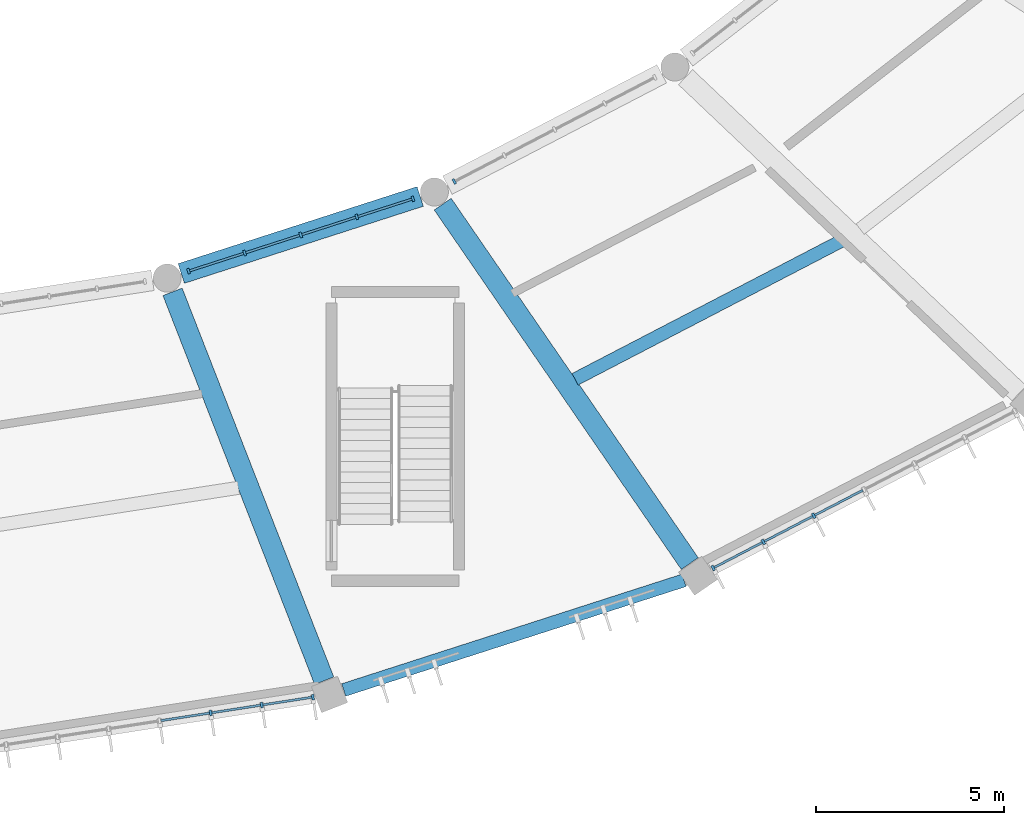
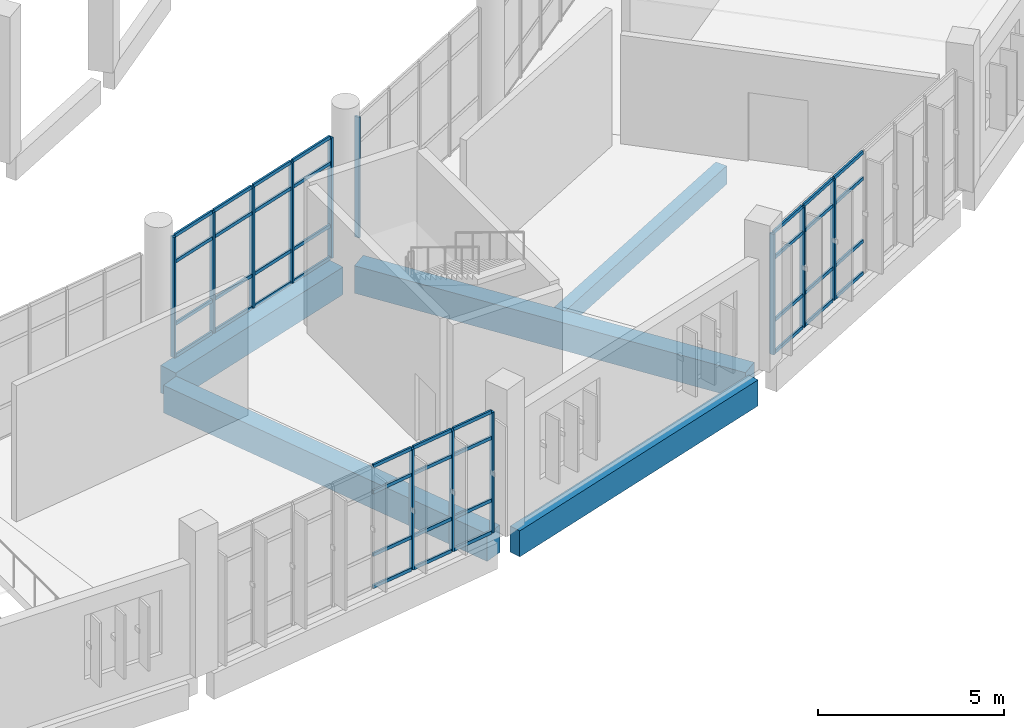
# One storey, part 36 of 179: 52 members, 5 beams, 4 elements without a shape of their own.
"""IFC4 building model written with IfcOpenShell, lengths in metres."""

from ifc_helpers import new_model, si_unit, direction, frame, origin, origin_2d, place, context, subcontext, project, spatial, rectangle, extrude, material, layer, layer_set, material_profile, profile_set, type_object, element, aggregate, save


model = new_model("IFC4")

# Units and contexts
model_context = context("Model", 3, precision=1e-05, world=origin(), true_north=direction((0.0, 1.0)))
body_context = subcontext(model_context, "Body", "Model", "MODEL_VIEW")
ifc_project = project(units=[si_unit("LENGTHUNIT", "METRE"), si_unit("AREAUNIT", "SQUARE_METRE"), si_unit("VOLUMEUNIT", "CUBIC_METRE"), si_unit("PLANEANGLEUNIT", "RADIAN"), si_unit("MASSUNIT", "GRAM", prefix="KILO")], contexts=[model_context])

# Site, building, storey
site_placement = place(None, origin())
site = spatial("IfcSite", under=ifc_project, at=site_placement, CompositionType="ELEMENT")
building_placement = place(site_placement, origin())
building = spatial("IfcBuilding", under=site, at=building_placement, Name="Corvandel Quay Wholesale Market", CompositionType="ELEMENT")
storey_placement = place(building_placement, frame((0.0, 0.0, 6.0)))
storey = spatial("IfcBuildingStorey", under=building, at=storey_placement, Name="L01", CompositionType="ELEMENT", Elevation=6.0)

# Curtain wall, members
ifc_material_1 = material(Name="Bronze anodised aluminium and low-E insulated glazing", Category="aluminium")
ifc_layer_1 = layer(ifc_material_1, 0.162109375)
ifc_layer_set_1 = layer_set([ifc_layer_1], Name="Bronze anodised aluminium and low-E insulated glazing")
curtain_wall_type_1 = type_object("IfcCurtainWallType", Name="Stick Curtain Wall System CW01 H3090", PredefinedType="NOTDEFINED", material=ifc_layer_set_1)
curtain_wall_1_placement = place(storey_placement, origin())
curtain_wall_1 = element("IfcCurtainWall", 1, at=curtain_wall_1_placement, inside=storey, type_object=curtain_wall_type_1, Name="Curtain Wall CW-0071", PredefinedType="NOTDEFINED")
ifc_material_2 = material(Name="Anodised aluminium 6063-T6", Category="aluminium")
ifc_material_profile_1 = material_profile(ifc_material_2, rectangle(XDim=0.06494140625, YDim=0.14990234375, at=origin_2d()), Name="ALU-MUL-65x150")
ifc_profile_set_1 = profile_set([ifc_material_profile_1], Name="Anodised aluminium 6063-T6")
member_type_1 = type_object("IfcMemberType", Name="Curtain Wall Mullion ML02 65x150", PredefinedType="MULLION", material=ifc_profile_set_1)
member_1_placement = place(storey_placement, frame((126.579833984375, 1.123291015625, 0.0), z_axis=(0.0, 0.0, 1.0), x_axis=(0.98825506746, 0.152813355565, 0.0)))
member_1 = element("IfcMember", 2, at=member_1_placement, type_object=member_type_1, Name="Mullion CW-0071-M05", PredefinedType="MULLION", context=body_context, shape_type="SweptSolid", body=[
    extrude(rectangle(XDim=0.06494140625, YDim=0.14990234375, at=origin_2d()), origin(), (0.0, 0.0, 1.0), 3.949951171875),
])
member_2_placement = place(storey_placement, frame((127.943115234375, 1.334228515625, 0.0), z_axis=(0.0, 0.0, 1.0), x_axis=(0.98825506746, 0.152813355565, 0.0)))
member_2 = element("IfcMember", 3, at=member_2_placement, type_object=member_type_1, Name="Mullion CW-0071-M06", PredefinedType="MULLION", context=body_context, shape_type="SweptSolid", body=[
    extrude(rectangle(XDim=0.06494140625, YDim=0.14990234375, at=origin_2d()), origin(), (0.0, 0.0, 1.0), 3.949951171875),
])
member_3_placement = place(storey_placement, frame((129.306396484375, 1.545166015625, 0.0), z_axis=(0.0, 0.0, 1.0), x_axis=(0.98825506746, 0.152813355565, 0.0)))
member_3 = element("IfcMember", 4, at=member_3_placement, type_object=member_type_1, Name="Mullion CW-0071-M07", PredefinedType="MULLION", context=body_context, shape_type="SweptSolid", body=[
    extrude(rectangle(XDim=0.06494140625, YDim=0.14990234375, at=origin_2d()), origin(), (0.0, 0.0, 1.0), 3.949951171875),
])

ifc_layer_2 = layer(ifc_material_1, 0.162109375)
ifc_layer_set_2 = layer_set([ifc_layer_2], Name="Bronze anodised aluminium and low-E insulated glazing")
curtain_wall_type_2 = type_object("IfcCurtainWallType", Name="Stick Curtain Wall System CW16 H4440", PredefinedType="NOTDEFINED", material=ifc_layer_set_2)
curtain_wall_2_placement = place(storey_placement, origin())
curtain_wall_2 = element("IfcCurtainWall", 5, at=curtain_wall_2_placement, inside=storey, type_object=curtain_wall_type_2, Name="Curtain Wall CW-0076", PredefinedType="NOTDEFINED")
member_4_placement = place(storey_placement, frame((125.9912109375, 12.904052734375, 0.0), z_axis=(0.0, 0.0, 1.0), x_axis=(0.951808747363, 0.306692204733, 0.0)))
member_4 = element("IfcMember", 6, at=member_4_placement, type_object=member_type_1, Name="Mullion CW-0076-M00", PredefinedType="MULLION", context=body_context, shape_type="SweptSolid", body=[
    extrude(rectangle(XDim=0.06494140625, YDim=0.14990234375, at=origin_2d()), origin(), (0.0, 0.0, 1.0), 3.949951171875),
])
member_5_placement = place(storey_placement, frame((127.486572265625, 13.385986328125, 0.0), z_axis=(0.0, 0.0, 1.0), x_axis=(0.951808747363, 0.306692204733, 0.0)))
member_5 = element("IfcMember", 7, at=member_5_placement, type_object=member_type_1, Name="Mullion CW-0076-M01", PredefinedType="MULLION", context=body_context, shape_type="SweptSolid", body=[
    extrude(rectangle(XDim=0.06494140625, YDim=0.14990234375, at=origin_2d()), origin(), (0.0, 0.0, 1.0), 3.949951171875),
])
member_6_placement = place(storey_placement, frame((128.98193359375, 13.867919921875, 0.0), z_axis=(0.0, 0.0, 1.0), x_axis=(0.951808747363, 0.306692204733, 0.0)))
member_6 = element("IfcMember", 8, at=member_6_placement, type_object=member_type_1, Name="Mullion CW-0076-M02", PredefinedType="MULLION", context=body_context, shape_type="SweptSolid", body=[
    extrude(rectangle(XDim=0.06494140625, YDim=0.14990234375, at=origin_2d()), origin(), (0.0, 0.0, 1.0), 3.949951171875),
])
member_7_placement = place(storey_placement, frame((130.4775390625, 14.35009765625, 0.0), z_axis=(0.0, 0.0, 1.0), x_axis=(0.951808747363, 0.306692204733, 0.0)))
member_7 = element("IfcMember", 9, at=member_7_placement, type_object=member_type_1, Name="Mullion CW-0076-M03", PredefinedType="MULLION", context=body_context, shape_type="SweptSolid", body=[
    extrude(rectangle(XDim=0.06494140625, YDim=0.14990234375, at=origin_2d()), origin(), (0.0, 0.0, 1.0), 3.949951171875),
])
member_8_placement = place(storey_placement, frame((131.972900390625, 14.83203125, 0.0), z_axis=(0.0, 0.0, 1.0), x_axis=(0.951808747363, 0.306692204733, 0.0)))
member_8 = element("IfcMember", 10, at=member_8_placement, type_object=member_type_1, Name="Mullion CW-0076-M04", PredefinedType="MULLION", context=body_context, shape_type="SweptSolid", body=[
    extrude(rectangle(XDim=0.06494140625, YDim=0.14990234375, at=origin_2d()), origin(), (0.0, 0.0, 1.0), 3.949951171875),
])

ifc_layer_3 = layer(ifc_material_1, 0.18603515625)
ifc_layer_set_3 = layer_set([ifc_layer_3], Name="Bronze anodised aluminium and low-E insulated glazing")
curtain_wall_type_3 = type_object("IfcCurtainWallType", Name="Stick Curtain Wall System CW03 H3270", PredefinedType="NOTDEFINED", material=ifc_layer_set_3)
curtain_wall_3_placement = place(storey_placement, origin())
curtain_wall_3 = element("IfcCurtainWall", 11, at=curtain_wall_3_placement, inside=storey, type_object=curtain_wall_type_3, Name="Curtain Wall CW-0078", PredefinedType="NOTDEFINED")
member_9_placement = place(storey_placement, frame((139.978271484375, 4.987548828125, 0.0), z_axis=(0.0, 0.0, 1.0), x_axis=(0.887332978338, 0.461129250378, 0.0)))
member_9 = element("IfcMember", 12, at=member_9_placement, type_object=member_type_1, Name="Mullion CW-0078-M00", PredefinedType="MULLION", context=body_context, shape_type="SweptSolid", body=[
    extrude(rectangle(XDim=0.06494140625, YDim=0.14990234375, at=origin_2d()), origin(), (0.0, 0.0, 1.0), 3.949951171875),
])
member_10_placement = place(storey_placement, frame((141.319091796875, 5.684326171875, 0.0), z_axis=(0.0, 0.0, 1.0), x_axis=(0.887332978338, 0.461129250378, 0.0)))
member_10 = element("IfcMember", 13, at=member_10_placement, type_object=member_type_1, Name="Mullion CW-0078-M01", PredefinedType="MULLION", context=body_context, shape_type="SweptSolid", body=[
    extrude(rectangle(XDim=0.06494140625, YDim=0.14990234375, at=origin_2d()), origin(), (0.0, 0.0, 1.0), 3.949951171875),
])
member_11_placement = place(storey_placement, frame((142.66015625, 6.381103515625, 0.0), z_axis=(0.0, 0.0, 1.0), x_axis=(0.887332978338, 0.461129250378, 0.0)))
member_11 = element("IfcMember", 14, at=member_11_placement, type_object=member_type_1, Name="Mullion CW-0078-M02", PredefinedType="MULLION", context=body_context, shape_type="SweptSolid", body=[
    extrude(rectangle(XDim=0.06494140625, YDim=0.14990234375, at=origin_2d()), origin(), (0.0, 0.0, 1.0), 3.949951171875),
])

# Curtain wall, member
ifc_layer_4 = layer(ifc_material_1, 0.174072265625)
ifc_layer_set_4 = layer_set([ifc_layer_4], Name="Bronze anodised aluminium and low-E insulated glazing")
curtain_wall_type_4 = type_object("IfcCurtainWallType", Name="Stick Curtain Wall System CW17 H4530", PredefinedType="NOTDEFINED", material=ifc_layer_set_4)
curtain_wall_4_placement = place(storey_placement, origin())
curtain_wall_4 = element("IfcCurtainWall", 15, at=curtain_wall_4_placement, inside=storey, type_object=curtain_wall_type_4, Name="Curtain Wall CW-0079", PredefinedType="NOTDEFINED")
member_12_placement = place(storey_placement, frame((133.076416015625, 15.29248046875, 0.0), z_axis=(0.0, 0.0, 1.0), x_axis=(0.887332978338, 0.461129250378, 0.0)))
member_12 = element("IfcMember", 16, at=member_12_placement, type_object=member_type_1, Name="Mullion CW-0079-M00", PredefinedType="MULLION", context=body_context, shape_type="SweptSolid", body=[
    extrude(rectangle(XDim=0.06494140625, YDim=0.14990234375, at=origin_2d()), origin(), (0.0, 0.0, 1.0), 3.949951171875),
])
aggregate(curtain_wall_4, [member_12])

# Member
ifc_material_profile_2 = material_profile(ifc_material_2, rectangle(XDim=0.06005859375, YDim=0.110107421875, at=origin_2d()), Name="ALU-TRN-60x110")
ifc_profile_set_2 = profile_set([ifc_material_profile_2], Name="Anodised aluminium 6063-T6")
member_type_2 = type_object("IfcMemberType", Name="Curtain Wall Transom TR02 60x110", PredefinedType="USERDEFINED", material=ifc_profile_set_2)
member_13_placement = place(storey_placement, frame((125.248779296875, 0.91748046875, 0.0), z_axis=(0.988244650986, 0.152880704466, 0.0), x_axis=(-0.152880704466, 0.988244650986, 0.0)))
member_13 = element("IfcMember", 17, at=member_13_placement, type_object=member_type_2, Name="Transom CW-0071-T04-0", ObjectType="TRANSOM", PredefinedType="USERDEFINED", context=body_context, shape_type="SweptSolid", body=[
    extrude(rectangle(XDim=0.06005859375, YDim=0.110107421875, at=origin_2d()), origin(), (0.0, 0.0, 1.0), 1.314208984375),
])

member_14_placement = place(storey_placement, frame((125.248779296875, 0.91748046875, 1.050048828125), z_axis=(0.988244650986, 0.152880704466, 0.0), x_axis=(-0.152880704466, 0.988244650986, 0.0)))
member_14 = element("IfcMember", 18, at=member_14_placement, type_object=member_type_2, Name="Transom CW-0071-T04-1", ObjectType="TRANSOM", PredefinedType="USERDEFINED", context=body_context, shape_type="SweptSolid", body=[
    extrude(rectangle(XDim=0.06005859375, YDim=0.110107421875, at=origin_2d()), origin(), (0.0, 0.0, 1.0), 1.314208984375),
])

member_15_placement = place(storey_placement, frame((125.248779296875, 0.91748046875, 3.10009765625), z_axis=(0.988244650986, 0.152880704466, 0.0), x_axis=(-0.152880704466, 0.988244650986, 0.0)))
member_15 = element("IfcMember", 19, at=member_15_placement, type_object=member_type_2, Name="Transom CW-0071-T04-2", ObjectType="TRANSOM", PredefinedType="USERDEFINED", context=body_context, shape_type="SweptSolid", body=[
    extrude(rectangle(XDim=0.06005859375, YDim=0.110107421875, at=origin_2d()), origin(), (0.0, 0.0, 1.0), 1.314208984375),
])

member_16_placement = place(storey_placement, frame((125.248779296875, 0.91748046875, 3.949951171875), z_axis=(0.988244650986, 0.152880704466, 0.0), x_axis=(-0.152880704466, 0.988244650986, 0.0)))
member_16 = element("IfcMember", 20, at=member_16_placement, type_object=member_type_2, Name="Transom CW-0071-T04-3", ObjectType="TRANSOM", PredefinedType="USERDEFINED", context=body_context, shape_type="SweptSolid", body=[
    extrude(rectangle(XDim=0.06005859375, YDim=0.110107421875, at=origin_2d()), origin(), (0.0, 0.0, 1.0), 1.314208984375),
])

member_17_placement = place(storey_placement, frame((126.612060546875, 1.12841796875, 0.0), z_axis=(0.988244650986, 0.152880704466, 0.0), x_axis=(-0.152880704466, 0.988244650986, 0.0)))
member_17 = element("IfcMember", 21, at=member_17_placement, type_object=member_type_2, Name="Transom CW-0071-T05-0", ObjectType="TRANSOM", PredefinedType="USERDEFINED", context=body_context, shape_type="SweptSolid", body=[
    extrude(rectangle(XDim=0.06005859375, YDim=0.110107421875, at=origin_2d()), origin(), (0.0, 0.0, 1.0), 1.314208984375),
])

member_18_placement = place(storey_placement, frame((126.612060546875, 1.12841796875, 1.050048828125), z_axis=(0.988244650986, 0.152880704466, 0.0), x_axis=(-0.152880704466, 0.988244650986, 0.0)))
member_18 = element("IfcMember", 22, at=member_18_placement, type_object=member_type_2, Name="Transom CW-0071-T05-1", ObjectType="TRANSOM", PredefinedType="USERDEFINED", context=body_context, shape_type="SweptSolid", body=[
    extrude(rectangle(XDim=0.06005859375, YDim=0.110107421875, at=origin_2d()), origin(), (0.0, 0.0, 1.0), 1.314208984375),
])

member_19_placement = place(storey_placement, frame((126.612060546875, 1.12841796875, 3.10009765625), z_axis=(0.988244650986, 0.152880704466, 0.0), x_axis=(-0.152880704466, 0.988244650986, 0.0)))
member_19 = element("IfcMember", 23, at=member_19_placement, type_object=member_type_2, Name="Transom CW-0071-T05-2", ObjectType="TRANSOM", PredefinedType="USERDEFINED", context=body_context, shape_type="SweptSolid", body=[
    extrude(rectangle(XDim=0.06005859375, YDim=0.110107421875, at=origin_2d()), origin(), (0.0, 0.0, 1.0), 1.314208984375),
])

member_20_placement = place(storey_placement, frame((126.612060546875, 1.12841796875, 3.949951171875), z_axis=(0.988244650986, 0.152880704466, 0.0), x_axis=(-0.152880704466, 0.988244650986, 0.0)))
member_20 = element("IfcMember", 24, at=member_20_placement, type_object=member_type_2, Name="Transom CW-0071-T05-3", ObjectType="TRANSOM", PredefinedType="USERDEFINED", context=body_context, shape_type="SweptSolid", body=[
    extrude(rectangle(XDim=0.06005859375, YDim=0.110107421875, at=origin_2d()), origin(), (0.0, 0.0, 1.0), 1.314208984375),
])

member_21_placement = place(storey_placement, frame((127.97509765625, 1.33935546875, 0.0), z_axis=(0.988248991474, 0.152852644237, 0.0), x_axis=(-0.152852644237, 0.988248991474, 0.0)))
member_21 = element("IfcMember", 25, at=member_21_placement, type_object=member_type_2, Name="Transom CW-0071-T06-0", ObjectType="TRANSOM", PredefinedType="USERDEFINED", context=body_context, shape_type="SweptSolid", body=[
    extrude(rectangle(XDim=0.06005859375, YDim=0.110107421875, at=origin_2d()), origin(), (0.0, 0.0, 1.0), 1.314453125),
])

member_22_placement = place(storey_placement, frame((127.97509765625, 1.33935546875, 1.050048828125), z_axis=(0.988248991474, 0.152852644237, 0.0), x_axis=(-0.152852644237, 0.988248991474, 0.0)))
member_22 = element("IfcMember", 26, at=member_22_placement, type_object=member_type_2, Name="Transom CW-0071-T06-1", ObjectType="TRANSOM", PredefinedType="USERDEFINED", context=body_context, shape_type="SweptSolid", body=[
    extrude(rectangle(XDim=0.06005859375, YDim=0.110107421875, at=origin_2d()), origin(), (0.0, 0.0, 1.0), 1.314453125),
])

member_23_placement = place(storey_placement, frame((127.97509765625, 1.33935546875, 3.10009765625), z_axis=(0.988248991474, 0.152852644237, 0.0), x_axis=(-0.152852644237, 0.988248991474, 0.0)))
member_23 = element("IfcMember", 27, at=member_23_placement, type_object=member_type_2, Name="Transom CW-0071-T06-2", ObjectType="TRANSOM", PredefinedType="USERDEFINED", context=body_context, shape_type="SweptSolid", body=[
    extrude(rectangle(XDim=0.06005859375, YDim=0.110107421875, at=origin_2d()), origin(), (0.0, 0.0, 1.0), 1.314453125),
])

member_24_placement = place(storey_placement, frame((127.97509765625, 1.33935546875, 3.949951171875), z_axis=(0.988248991474, 0.152852644237, 0.0), x_axis=(-0.152852644237, 0.988248991474, 0.0)))
member_24 = element("IfcMember", 28, at=member_24_placement, type_object=member_type_2, Name="Transom CW-0071-T06-3", ObjectType="TRANSOM", PredefinedType="USERDEFINED", context=body_context, shape_type="SweptSolid", body=[
    extrude(rectangle(XDim=0.06005859375, YDim=0.110107421875, at=origin_2d()), origin(), (0.0, 0.0, 1.0), 1.314453125),
])

aggregate(curtain_wall_1, [member_1, member_2, member_3, member_13, member_14, member_15, member_16, member_17, member_18, member_19, member_20, member_21, member_22, member_23, member_24])

member_25_placement = place(storey_placement, frame((126.02197265625, 12.9140625, 0.0), z_axis=(0.951812449712, 0.306680714383, 0.0), x_axis=(-0.306680714383, 0.951812449712, 0.0)))
member_25 = element("IfcMember", 29, at=member_25_placement, type_object=member_type_2, Name="Transom CW-0076-T00-0", ObjectType="TRANSOM", PredefinedType="USERDEFINED", context=body_context, shape_type="SweptSolid", body=[
    extrude(rectangle(XDim=0.06005859375, YDim=0.110107421875, at=origin_2d()), origin(), (0.0, 0.0, 1.0), 1.506103515625),
])

member_26_placement = place(storey_placement, frame((126.02197265625, 12.9140625, 1.050048828125), z_axis=(0.951812449712, 0.306680714383, 0.0), x_axis=(-0.306680714383, 0.951812449712, 0.0)))
member_26 = element("IfcMember", 30, at=member_26_placement, type_object=member_type_2, Name="Transom CW-0076-T00-1", ObjectType="TRANSOM", PredefinedType="USERDEFINED", context=body_context, shape_type="SweptSolid", body=[
    extrude(rectangle(XDim=0.06005859375, YDim=0.110107421875, at=origin_2d()), origin(), (0.0, 0.0, 1.0), 1.506103515625),
])

member_27_placement = place(storey_placement, frame((126.02197265625, 12.9140625, 3.10009765625), z_axis=(0.951812449712, 0.306680714383, 0.0), x_axis=(-0.306680714383, 0.951812449712, 0.0)))
member_27 = element("IfcMember", 31, at=member_27_placement, type_object=member_type_2, Name="Transom CW-0076-T00-2", ObjectType="TRANSOM", PredefinedType="USERDEFINED", context=body_context, shape_type="SweptSolid", body=[
    extrude(rectangle(XDim=0.06005859375, YDim=0.110107421875, at=origin_2d()), origin(), (0.0, 0.0, 1.0), 1.506103515625),
])

member_28_placement = place(storey_placement, frame((126.02197265625, 12.9140625, 3.949951171875), z_axis=(0.951812449712, 0.306680714383, 0.0), x_axis=(-0.306680714383, 0.951812449712, 0.0)))
member_28 = element("IfcMember", 32, at=member_28_placement, type_object=member_type_2, Name="Transom CW-0076-T00-3", ObjectType="TRANSOM", PredefinedType="USERDEFINED", context=body_context, shape_type="SweptSolid", body=[
    extrude(rectangle(XDim=0.06005859375, YDim=0.110107421875, at=origin_2d()), origin(), (0.0, 0.0, 1.0), 1.506103515625),
])

member_29_placement = place(storey_placement, frame((127.517578125, 13.39599609375, 0.0), z_axis=(0.951812449712, 0.306680714383, 0.0), x_axis=(-0.306680714383, 0.951812449712, 0.0)))
member_29 = element("IfcMember", 33, at=member_29_placement, type_object=member_type_2, Name="Transom CW-0076-T01-0", ObjectType="TRANSOM", PredefinedType="USERDEFINED", context=body_context, shape_type="SweptSolid", body=[
    extrude(rectangle(XDim=0.06005859375, YDim=0.110107421875, at=origin_2d()), origin(), (0.0, 0.0, 1.0), 1.506103515625),
])

member_30_placement = place(storey_placement, frame((127.517578125, 13.39599609375, 1.050048828125), z_axis=(0.951812449712, 0.306680714383, 0.0), x_axis=(-0.306680714383, 0.951812449712, 0.0)))
member_30 = element("IfcMember", 34, at=member_30_placement, type_object=member_type_2, Name="Transom CW-0076-T01-1", ObjectType="TRANSOM", PredefinedType="USERDEFINED", context=body_context, shape_type="SweptSolid", body=[
    extrude(rectangle(XDim=0.06005859375, YDim=0.110107421875, at=origin_2d()), origin(), (0.0, 0.0, 1.0), 1.506103515625),
])

member_31_placement = place(storey_placement, frame((127.517578125, 13.39599609375, 3.10009765625), z_axis=(0.951812449712, 0.306680714383, 0.0), x_axis=(-0.306680714383, 0.951812449712, 0.0)))
member_31 = element("IfcMember", 35, at=member_31_placement, type_object=member_type_2, Name="Transom CW-0076-T01-2", ObjectType="TRANSOM", PredefinedType="USERDEFINED", context=body_context, shape_type="SweptSolid", body=[
    extrude(rectangle(XDim=0.06005859375, YDim=0.110107421875, at=origin_2d()), origin(), (0.0, 0.0, 1.0), 1.506103515625),
])

member_32_placement = place(storey_placement, frame((127.517578125, 13.39599609375, 3.949951171875), z_axis=(0.951812449712, 0.306680714383, 0.0), x_axis=(-0.306680714383, 0.951812449712, 0.0)))
member_32 = element("IfcMember", 36, at=member_32_placement, type_object=member_type_2, Name="Transom CW-0076-T01-3", ObjectType="TRANSOM", PredefinedType="USERDEFINED", context=body_context, shape_type="SweptSolid", body=[
    extrude(rectangle(XDim=0.06005859375, YDim=0.110107421875, at=origin_2d()), origin(), (0.0, 0.0, 1.0), 1.506103515625),
])

member_33_placement = place(storey_placement, frame((129.012939453125, 13.8779296875, 0.0), z_axis=(0.951765125265, 0.306827551452, 0.0), x_axis=(-0.306827551452, 0.951765125265, 0.0)))
member_33 = element("IfcMember", 37, at=member_33_placement, type_object=member_type_2, Name="Transom CW-0076-T02-0", ObjectType="TRANSOM", PredefinedType="USERDEFINED", context=body_context, shape_type="SweptSolid", body=[
    extrude(rectangle(XDim=0.06005859375, YDim=0.110107421875, at=origin_2d()), origin(), (0.0, 0.0, 1.0), 1.50634765625),
])

member_34_placement = place(storey_placement, frame((129.012939453125, 13.8779296875, 1.050048828125), z_axis=(0.951765125265, 0.306827551452, 0.0), x_axis=(-0.306827551452, 0.951765125265, 0.0)))
member_34 = element("IfcMember", 38, at=member_34_placement, type_object=member_type_2, Name="Transom CW-0076-T02-1", ObjectType="TRANSOM", PredefinedType="USERDEFINED", context=body_context, shape_type="SweptSolid", body=[
    extrude(rectangle(XDim=0.06005859375, YDim=0.110107421875, at=origin_2d()), origin(), (0.0, 0.0, 1.0), 1.50634765625),
])

member_35_placement = place(storey_placement, frame((129.012939453125, 13.8779296875, 3.10009765625), z_axis=(0.951765125265, 0.306827551452, 0.0), x_axis=(-0.306827551452, 0.951765125265, 0.0)))
member_35 = element("IfcMember", 39, at=member_35_placement, type_object=member_type_2, Name="Transom CW-0076-T02-2", ObjectType="TRANSOM", PredefinedType="USERDEFINED", context=body_context, shape_type="SweptSolid", body=[
    extrude(rectangle(XDim=0.06005859375, YDim=0.110107421875, at=origin_2d()), origin(), (0.0, 0.0, 1.0), 1.50634765625),
])

member_36_placement = place(storey_placement, frame((129.012939453125, 13.8779296875, 3.949951171875), z_axis=(0.951765125265, 0.306827551452, 0.0), x_axis=(-0.306827551452, 0.951765125265, 0.0)))
member_36 = element("IfcMember", 40, at=member_36_placement, type_object=member_type_2, Name="Transom CW-0076-T02-3", ObjectType="TRANSOM", PredefinedType="USERDEFINED", context=body_context, shape_type="SweptSolid", body=[
    extrude(rectangle(XDim=0.06005859375, YDim=0.110107421875, at=origin_2d()), origin(), (0.0, 0.0, 1.0), 1.50634765625),
])

member_37_placement = place(storey_placement, frame((130.50830078125, 14.360107421875, 0.0), z_axis=(0.951812449712, 0.306680714383, 0.0), x_axis=(-0.306680714383, 0.951812449712, 0.0)))
member_37 = element("IfcMember", 41, at=member_37_placement, type_object=member_type_2, Name="Transom CW-0076-T03-0", ObjectType="TRANSOM", PredefinedType="USERDEFINED", context=body_context, shape_type="SweptSolid", body=[
    extrude(rectangle(XDim=0.06005859375, YDim=0.110107421875, at=origin_2d()), origin(), (0.0, 0.0, 1.0), 1.506103515625),
])

member_38_placement = place(storey_placement, frame((130.50830078125, 14.360107421875, 1.050048828125), z_axis=(0.951812449712, 0.306680714383, 0.0), x_axis=(-0.306680714383, 0.951812449712, 0.0)))
member_38 = element("IfcMember", 42, at=member_38_placement, type_object=member_type_2, Name="Transom CW-0076-T03-1", ObjectType="TRANSOM", PredefinedType="USERDEFINED", context=body_context, shape_type="SweptSolid", body=[
    extrude(rectangle(XDim=0.06005859375, YDim=0.110107421875, at=origin_2d()), origin(), (0.0, 0.0, 1.0), 1.506103515625),
])

member_39_placement = place(storey_placement, frame((130.50830078125, 14.360107421875, 3.10009765625), z_axis=(0.951812449712, 0.306680714383, 0.0), x_axis=(-0.306680714383, 0.951812449712, 0.0)))
member_39 = element("IfcMember", 43, at=member_39_placement, type_object=member_type_2, Name="Transom CW-0076-T03-2", ObjectType="TRANSOM", PredefinedType="USERDEFINED", context=body_context, shape_type="SweptSolid", body=[
    extrude(rectangle(XDim=0.06005859375, YDim=0.110107421875, at=origin_2d()), origin(), (0.0, 0.0, 1.0), 1.506103515625),
])

member_40_placement = place(storey_placement, frame((130.50830078125, 14.360107421875, 3.949951171875), z_axis=(0.951812449712, 0.306680714383, 0.0), x_axis=(-0.306680714383, 0.951812449712, 0.0)))
member_40 = element("IfcMember", 44, at=member_40_placement, type_object=member_type_2, Name="Transom CW-0076-T03-3", ObjectType="TRANSOM", PredefinedType="USERDEFINED", context=body_context, shape_type="SweptSolid", body=[
    extrude(rectangle(XDim=0.06005859375, YDim=0.110107421875, at=origin_2d()), origin(), (0.0, 0.0, 1.0), 1.506103515625),
])

aggregate(curtain_wall_2, [member_4, member_5, member_6, member_7, member_8, member_25, member_26, member_27, member_28, member_29, member_30, member_31, member_32, member_33, member_34, member_35, member_36, member_37, member_38, member_39, member_40])

member_41_placement = place(storey_placement, frame((140.007080078125, 5.00244140625, 0.0), z_axis=(0.887363258925, 0.461070977953, 0.0), x_axis=(-0.461070977953, 0.887363258925, 0.0)))
member_41 = element("IfcMember", 45, at=member_41_placement, type_object=member_type_2, Name="Transom CW-0078-T00-0", ObjectType="TRANSOM", PredefinedType="USERDEFINED", context=body_context, shape_type="SweptSolid", body=[
    extrude(rectangle(XDim=0.06005859375, YDim=0.110107421875, at=origin_2d()), origin(), (0.0, 0.0, 1.0), 1.446044921875),
])

member_42_placement = place(storey_placement, frame((140.007080078125, 5.00244140625, 1.050048828125), z_axis=(0.887363258925, 0.461070977953, 0.0), x_axis=(-0.461070977953, 0.887363258925, 0.0)))
member_42 = element("IfcMember", 46, at=member_42_placement, type_object=member_type_2, Name="Transom CW-0078-T00-1", ObjectType="TRANSOM", PredefinedType="USERDEFINED", context=body_context, shape_type="SweptSolid", body=[
    extrude(rectangle(XDim=0.06005859375, YDim=0.110107421875, at=origin_2d()), origin(), (0.0, 0.0, 1.0), 1.446044921875),
])

member_43_placement = place(storey_placement, frame((140.007080078125, 5.00244140625, 3.10009765625), z_axis=(0.887363258925, 0.461070977953, 0.0), x_axis=(-0.461070977953, 0.887363258925, 0.0)))
member_43 = element("IfcMember", 47, at=member_43_placement, type_object=member_type_2, Name="Transom CW-0078-T00-2", ObjectType="TRANSOM", PredefinedType="USERDEFINED", context=body_context, shape_type="SweptSolid", body=[
    extrude(rectangle(XDim=0.06005859375, YDim=0.110107421875, at=origin_2d()), origin(), (0.0, 0.0, 1.0), 1.446044921875),
])

member_44_placement = place(storey_placement, frame((140.007080078125, 5.00244140625, 3.949951171875), z_axis=(0.887363258925, 0.461070977953, 0.0), x_axis=(-0.461070977953, 0.887363258925, 0.0)))
member_44 = element("IfcMember", 48, at=member_44_placement, type_object=member_type_2, Name="Transom CW-0078-T00-3", ObjectType="TRANSOM", PredefinedType="USERDEFINED", context=body_context, shape_type="SweptSolid", body=[
    extrude(rectangle(XDim=0.06005859375, YDim=0.110107421875, at=origin_2d()), origin(), (0.0, 0.0, 1.0), 1.446044921875),
])

member_45_placement = place(storey_placement, frame((141.347900390625, 5.69921875, 0.0), z_axis=(0.887330080745, 0.46113482606, 0.0), x_axis=(-0.46113482606, 0.887330080745, 0.0)))
member_45 = element("IfcMember", 49, at=member_45_placement, type_object=member_type_2, Name="Transom CW-0078-T01-0", ObjectType="TRANSOM", PredefinedType="USERDEFINED", context=body_context, shape_type="SweptSolid", body=[
    extrude(rectangle(XDim=0.06005859375, YDim=0.110107421875, at=origin_2d()), origin(), (0.0, 0.0, 1.0), 1.446533203125),
])

member_46_placement = place(storey_placement, frame((141.347900390625, 5.69921875, 1.050048828125), z_axis=(0.887330080745, 0.46113482606, 0.0), x_axis=(-0.46113482606, 0.887330080745, 0.0)))
member_46 = element("IfcMember", 50, at=member_46_placement, type_object=member_type_2, Name="Transom CW-0078-T01-1", ObjectType="TRANSOM", PredefinedType="USERDEFINED", context=body_context, shape_type="SweptSolid", body=[
    extrude(rectangle(XDim=0.06005859375, YDim=0.110107421875, at=origin_2d()), origin(), (0.0, 0.0, 1.0), 1.446533203125),
])

member_47_placement = place(storey_placement, frame((141.347900390625, 5.69921875, 3.10009765625), z_axis=(0.887330080745, 0.46113482606, 0.0), x_axis=(-0.46113482606, 0.887330080745, 0.0)))
member_47 = element("IfcMember", 51, at=member_47_placement, type_object=member_type_2, Name="Transom CW-0078-T01-2", ObjectType="TRANSOM", PredefinedType="USERDEFINED", context=body_context, shape_type="SweptSolid", body=[
    extrude(rectangle(XDim=0.06005859375, YDim=0.110107421875, at=origin_2d()), origin(), (0.0, 0.0, 1.0), 1.446533203125),
])

member_48_placement = place(storey_placement, frame((141.347900390625, 5.69921875, 3.949951171875), z_axis=(0.887330080745, 0.46113482606, 0.0), x_axis=(-0.46113482606, 0.887330080745, 0.0)))
member_48 = element("IfcMember", 52, at=member_48_placement, type_object=member_type_2, Name="Transom CW-0078-T01-3", ObjectType="TRANSOM", PredefinedType="USERDEFINED", context=body_context, shape_type="SweptSolid", body=[
    extrude(rectangle(XDim=0.06005859375, YDim=0.110107421875, at=origin_2d()), origin(), (0.0, 0.0, 1.0), 1.446533203125),
])

member_49_placement = place(storey_placement, frame((142.68896484375, 6.396240234375, 0.0), z_axis=(0.887363258925, 0.461070977953, 0.0), x_axis=(-0.461070977953, 0.887363258925, 0.0)))
member_49 = element("IfcMember", 53, at=member_49_placement, type_object=member_type_2, Name="Transom CW-0078-T02-0", ObjectType="TRANSOM", PredefinedType="USERDEFINED", context=body_context, shape_type="SweptSolid", body=[
    extrude(rectangle(XDim=0.06005859375, YDim=0.110107421875, at=origin_2d()), origin(), (0.0, 0.0, 1.0), 1.446044921875),
])

member_50_placement = place(storey_placement, frame((142.68896484375, 6.396240234375, 1.050048828125), z_axis=(0.887363258925, 0.461070977953, 0.0), x_axis=(-0.461070977953, 0.887363258925, 0.0)))
member_50 = element("IfcMember", 54, at=member_50_placement, type_object=member_type_2, Name="Transom CW-0078-T02-1", ObjectType="TRANSOM", PredefinedType="USERDEFINED", context=body_context, shape_type="SweptSolid", body=[
    extrude(rectangle(XDim=0.06005859375, YDim=0.110107421875, at=origin_2d()), origin(), (0.0, 0.0, 1.0), 1.446044921875),
])

member_51_placement = place(storey_placement, frame((142.68896484375, 6.396240234375, 3.10009765625), z_axis=(0.887363258925, 0.461070977953, 0.0), x_axis=(-0.461070977953, 0.887363258925, 0.0)))
member_51 = element("IfcMember", 55, at=member_51_placement, type_object=member_type_2, Name="Transom CW-0078-T02-2", ObjectType="TRANSOM", PredefinedType="USERDEFINED", context=body_context, shape_type="SweptSolid", body=[
    extrude(rectangle(XDim=0.06005859375, YDim=0.110107421875, at=origin_2d()), origin(), (0.0, 0.0, 1.0), 1.446044921875),
])

member_52_placement = place(storey_placement, frame((142.68896484375, 6.396240234375, 3.949951171875), z_axis=(0.887363258925, 0.461070977953, 0.0), x_axis=(-0.461070977953, 0.887363258925, 0.0)))
member_52 = element("IfcMember", 56, at=member_52_placement, type_object=member_type_2, Name="Transom CW-0078-T02-3", ObjectType="TRANSOM", PredefinedType="USERDEFINED", context=body_context, shape_type="SweptSolid", body=[
    extrude(rectangle(XDim=0.06005859375, YDim=0.110107421875, at=origin_2d()), origin(), (0.0, 0.0, 1.0), 1.446044921875),
])

aggregate(curtain_wall_3, [member_9, member_10, member_11, member_41, member_42, member_43, member_44, member_45, member_46, member_47, member_48, member_49, member_50, member_51, member_52])

# Beams
ifc_material_3 = material(Name="Precast concrete C45/55", Category="concrete")
ifc_material_profile_3 = material_profile(ifc_material_3, rectangle(XDim=0.35009765625, YDim=0.85009765625, at=origin_2d()), Name="PC-SPN-350x850")
ifc_profile_set_3 = profile_set([ifc_material_profile_3], Name="Precast concrete C45/55")
beam_type_1 = type_object("IfcBeamType", Name="Perimeter Precast Spandrel SP01 350x850", PredefinedType="SPANDREL", material=ifc_profile_set_3)
beam_1_placement = place(storey_placement, frame((130.126953125, 1.735107421875, -0.72509765625), z_axis=(0.95182775773, 0.306633200446, 0.0), x_axis=(-0.306633200446, 0.95182775773, 0.0)))
element("IfcBeam", 57, at=beam_1_placement, inside=storey, type_object=beam_type_1, Name="Beam BM-0311", PredefinedType="SPANDREL", context=body_context, shape_type="SweptSolid", body=[
    extrude(rectangle(XDim=0.35009765625, YDim=0.85009765625, at=origin_2d()), origin(), (0.0, 0.0, 1.0), 9.53515625),
])
ifc_material_profile_4 = material_profile(ifc_material_3, rectangle(XDim=0.550048828125, YDim=0.89990234375, at=origin_2d()), Name="PC-GIR-550x900")
ifc_profile_set_4 = profile_set([ifc_material_profile_4], Name="Precast concrete C45/55")
beam_type_2 = type_object("IfcBeamType", Name="Produce Hall Radial Girder G03 550x900", PredefinedType="USERDEFINED", material=ifc_profile_set_4)
beam_2_placement = place(storey_placement, frame((125.7958984375, 12.84130859375, -0.75), z_axis=(0.951797597933, 0.306726804453, 0.0), x_axis=(-0.306726804453, 0.951797597933, 0.0)))
element("IfcBeam", 58, at=beam_2_placement, inside=storey, type_object=beam_type_2, Name="Beam BM-0312", ObjectType="GIRDER", PredefinedType="USERDEFINED", context=body_context, shape_type="SweptSolid", body=[
    extrude(rectangle(XDim=0.550048828125, YDim=0.89990234375, at=origin_2d()), origin(), (0.0, 0.0, 1.0), 6.69482421875),
])
beam_3_placement = place(storey_placement, frame((129.607421875, 1.98193359375, -0.75), z_axis=(-0.363314053574, 0.931666731442, 0.0), x_axis=(-0.931666731442, -0.363314053574, 0.0)))
element("IfcBeam", 59, at=beam_3_placement, inside=storey, type_object=beam_type_2, Name="Beam BM-0313", ObjectType="GIRDER", PredefinedType="USERDEFINED", context=body_context, shape_type="SweptSolid", body=[
    extrude(rectangle(XDim=0.550048828125, YDim=0.89990234375, at=origin_2d()), origin(), (0.0, 0.0, 1.0), 11.130615234375),
])
beam_4_placement = place(storey_placement, frame((139.355224609375, 5.10546875, -0.75), z_axis=(-0.566411220677, 0.824122763362, 0.0), x_axis=(-0.824122763362, -0.566411220677, 0.0)))
element("IfcBeam", 60, at=beam_4_placement, inside=storey, type_object=beam_type_2, Name="Beam BM-0324", ObjectType="GIRDER", PredefinedType="USERDEFINED", context=body_context, shape_type="SweptSolid", body=[
    extrude(rectangle(XDim=0.550048828125, YDim=0.89990234375, at=origin_2d()), origin(), (0.0, 0.0, 1.0), 11.630615234375),
])
ifc_material_profile_5 = material_profile(ifc_material_3, rectangle(XDim=0.35009765625, YDim=0.60009765625, at=origin_2d()), Name="PC-BM-350x600")
ifc_profile_set_5 = profile_set([ifc_material_profile_5], Name="Precast concrete C45/55")
beam_type_3 = type_object("IfcBeamType", Name="Trading Gallery Secondary Beam B02 350x600", PredefinedType="BEAM", material=ifc_profile_set_5)
beam_5_placement = place(storey_placement, frame((136.296630859375, 10.020263671875, -0.60009765625), z_axis=(0.887357981749, 0.461081134104, 0.0), x_axis=(-0.461081134104, 0.887357981749, 0.0)))
element("IfcBeam", 61, at=beam_5_placement, inside=storey, type_object=beam_type_3, Name="Beam BM-0325", PredefinedType="BEAM", context=body_context, shape_type="SweptSolid", body=[
    extrude(rectangle(XDim=0.35009765625, YDim=0.60009765625, at=origin_2d()), origin(), (0.0, 0.0, 1.0), 8.06689453125),
])

save(model, "model.ifc")
